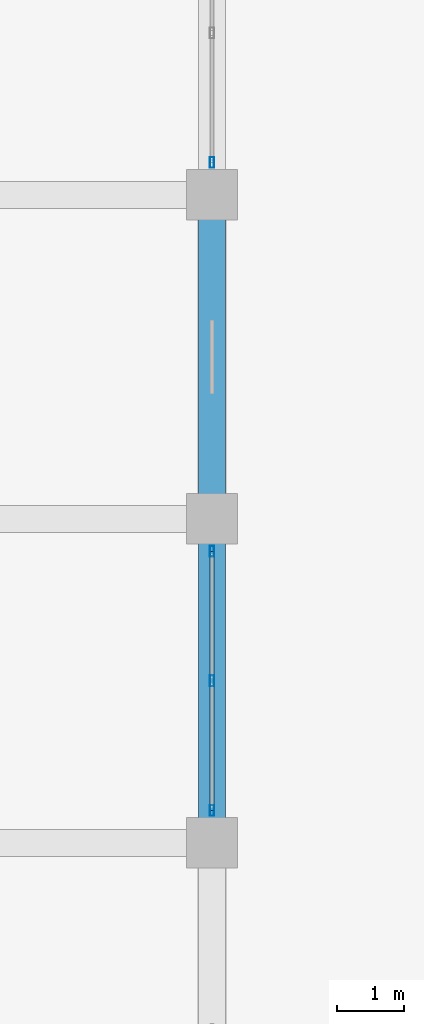
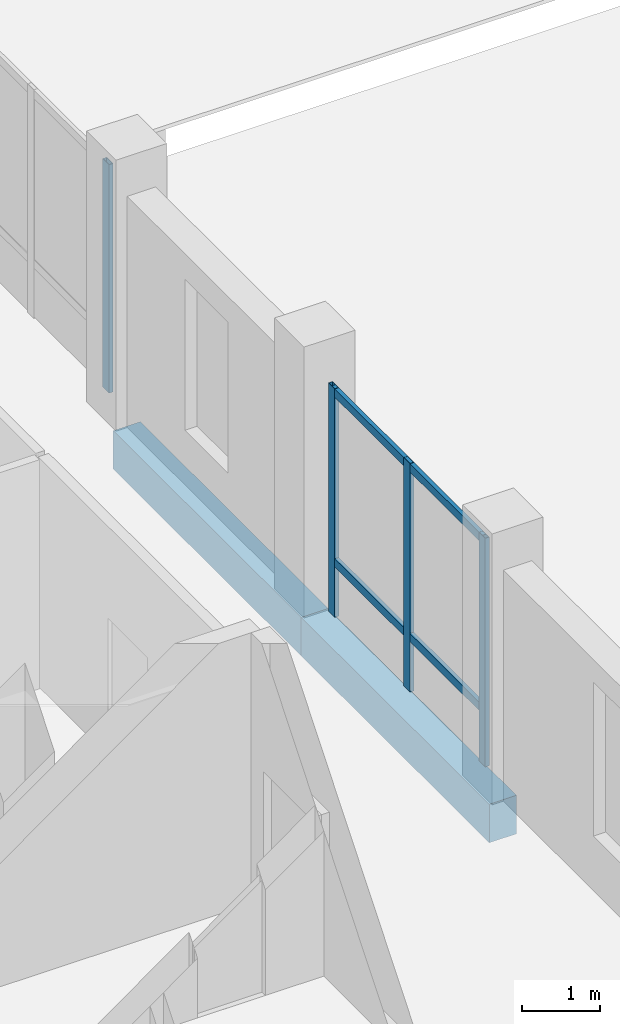
# One storey, part 26 of 98: 6 members, 2 beams, 2 elements without a shape of their own.
"""IFC4 building model written with IfcOpenShell, lengths in metres."""

from ifc_helpers import new_model, si_unit, direction, frame, origin, origin_2d, place, context, subcontext, project, spatial, rectangle, hollow_rectangle, extrude, material, material_profile, profile_set, type_object, element, aggregate, save


model = new_model("IFC4")

# Units and contexts
model_context = context("Model", 3, precision=1e-05, world=origin(), true_north=direction((0.0, 1.0)))
body_context = subcontext(model_context, "Body", "Model", "MODEL_VIEW")
ifc_project = project(units=[si_unit("LENGTHUNIT", "METRE"), si_unit("AREAUNIT", "SQUARE_METRE"), si_unit("VOLUMEUNIT", "CUBIC_METRE"), si_unit("PLANEANGLEUNIT", "RADIAN"), si_unit("MASSUNIT", "GRAM", prefix="KILO")], contexts=[model_context])

# Site, building, storey
site_placement = place(None, origin())
site = spatial("IfcSite", under=ifc_project, at=site_placement, CompositionType="ELEMENT")
building_placement = place(site_placement, origin())
building = spatial("IfcBuilding", under=site, at=building_placement, Name="Zornivar Specialist Clinic", CompositionType="ELEMENT")
storey_placement = place(building_placement, origin())
storey = spatial("IfcBuildingStorey", under=building, at=storey_placement, Name="L00", CompositionType="ELEMENT", Elevation=0.0)

# Beams
ifc_material_1 = material(Name="Concrete C30/37", Category="concrete")
ifc_material_profile_1 = material_profile(ifc_material_1, rectangle(XDim=0.39990234375, YDim=0.60009765625, at=origin_2d()), Name="RC 400x600")
ifc_profile_set_1 = profile_set([ifc_material_profile_1], Name="Concrete C30/37")
beam_type = type_object("IfcBeamType", Name="BM-RC-400x600", PredefinedType="BEAM", material=ifc_profile_set_1)
for number, where, z_axis, x_axis, name in (
    (1, (14.39990234375, 43.199951171875, -0.580078125), (0.0, 1.0, 0.0), (-1.0, 0.0, 0.0), "bm:V2:L00:y:144:6"),
    (2, (14.39990234375, 48.0, -0.580078125), (0.0, 1.0, 0.0), (-1.0, 0.0, 0.0), "bm:V2:L00:y:144:7"),
):
    element("IfcBeam", number, at=place(storey_placement, frame(where, z_axis=z_axis, x_axis=x_axis)), inside=storey, type_object=beam_type, Name=name, PredefinedType="BEAM", context=body_context, shape_type="SweptSolid", body=[
        extrude(rectangle(XDim=0.39990234375, YDim=0.60009765625, at=origin_2d()), origin(), (0.0, 0.0, 1.0), 4.800048828125),
    ])

# Curtain wall, members
ifc_material_2 = material(Name="Aluminium and Low-E Glass Curtain Wall", Category="aluminium")
curtain_wall_type = type_object("IfcCurtainWallType", Name="CW-REVAK-COURT", PredefinedType="NOTDEFINED", material=ifc_material_2)
curtain_wall_1_placement = place(storey_placement, origin())
curtain_wall_1 = element("IfcCurtainWall", 3, at=curtain_wall_1_placement, inside=storey, type_object=curtain_wall_type, Name="cw:V2:L00:18", PredefinedType="NOTDEFINED")
ifc_material_3 = material(Name="Aluminium AW-6060", Category="aluminium")
ifc_material_profile_2 = material_profile(ifc_material_3, hollow_rectangle(XDim=0.06005859375, YDim=0.159912109375, WallThickness=0.00390625, at=origin_2d()), Name="ALU 60x160x4")
ifc_profile_set_2 = profile_set([ifc_material_profile_2], Name="Aluminium AW-6060")
member_type_1 = type_object("IfcMemberType", Name="CWM-MUL-160", PredefinedType="MULLION", material=ifc_profile_set_2)
member_1_placement = place(storey_placement, frame((14.39990234375, 43.679931640625, 0.0), z_axis=(0.0, 0.0, 1.0), x_axis=(1.0, 0.0, 0.0)))
member_1 = element("IfcMember", 4, at=member_1_placement, type_object=member_type_1, Name="cw:V2:L00:18:mul:0", PredefinedType="MULLION", context=body_context, shape_type="SweptSolid", body=[
    extrude(hollow_rectangle(XDim=0.06005859375, YDim=0.159912109375, WallThickness=0.00390625, at=origin_2d()), origin(), (0.0, 0.0, 1.0), 3.56005859375),
])
member_2_placement = place(storey_placement, frame((14.39990234375, 45.60009765625, 0.0), z_axis=(0.0, 0.0, 1.0), x_axis=(1.0, 0.0, 0.0)))
member_2 = element("IfcMember", 5, at=member_2_placement, type_object=member_type_1, Name="cw:V2:L00:18:mul:1", PredefinedType="MULLION", context=body_context, shape_type="SweptSolid", body=[
    extrude(hollow_rectangle(XDim=0.06005859375, YDim=0.159912109375, WallThickness=0.00390625, at=origin_2d()), origin(), (0.0, 0.0, 1.0), 3.56005859375),
])
member_3_placement = place(storey_placement, frame((14.39990234375, 47.52001953125, 0.0), z_axis=(0.0, 0.0, 1.0), x_axis=(1.0, 0.0, 0.0)))
member_3 = element("IfcMember", 6, at=member_3_placement, type_object=member_type_1, Name="cw:V2:L00:18:mul:2", PredefinedType="MULLION", context=body_context, shape_type="SweptSolid", body=[
    extrude(hollow_rectangle(XDim=0.06005859375, YDim=0.159912109375, WallThickness=0.00390625, at=origin_2d()), origin(), (0.0, 0.0, 1.0), 3.56005859375),
])

# Curtain wall, member
curtain_wall_2_placement = place(storey_placement, origin())
curtain_wall_2 = element("IfcCurtainWall", 7, at=curtain_wall_2_placement, inside=storey, type_object=curtain_wall_type, Name="cw:V2:L00:20", PredefinedType="NOTDEFINED")
member_4_placement = place(storey_placement, frame((14.39990234375, 53.280029296875, 0.0), z_axis=(0.0, 0.0, 1.0), x_axis=(1.0, 0.0, 0.0)))
member_4 = element("IfcMember", 8, at=member_4_placement, type_object=member_type_1, Name="cw:V2:L00:20:mul:0", PredefinedType="MULLION", context=body_context, shape_type="SweptSolid", body=[
    extrude(hollow_rectangle(XDim=0.06005859375, YDim=0.159912109375, WallThickness=0.00390625, at=origin_2d()), origin(), (0.0, 0.0, 1.0), 3.56005859375),
])
aggregate(curtain_wall_2, [member_4])

# Member
ifc_material_4 = material(Name="Aluminium AW-6060", Category="aluminium")
ifc_material_profile_3 = material_profile(ifc_material_4, hollow_rectangle(XDim=0.06005859375, YDim=0.1298828125, WallThickness=0.00390625, at=origin_2d()), Name="ALU 60x130x4")
ifc_profile_set_3 = profile_set([ifc_material_profile_3], Name="Aluminium AW-6060")
member_type_2 = type_object("IfcMemberType", Name="CWM-TRN-130", PredefinedType="USERDEFINED", material=ifc_profile_set_3)
member_5_placement = place(storey_placement, frame((14.39990234375, 43.679931640625, 0.85009765625), z_axis=(0.0, 1.0, 0.0), x_axis=(-1.0, 0.0, 0.0)))
member_5 = element("IfcMember", 9, at=member_5_placement, type_object=member_type_2, Name="cw:V2:L00:18:trn:0", ObjectType="TRANSOM", PredefinedType="USERDEFINED", context=body_context, shape_type="SweptSolid", body=[
    extrude(hollow_rectangle(XDim=0.06005859375, YDim=0.1298828125, WallThickness=0.00390625, at=origin_2d()), origin(), (0.0, 0.0, 1.0), 3.840087890625),
])

member_6_placement = place(storey_placement, frame((14.39990234375, 43.679931640625, 3.4951171875), z_axis=(0.0, 1.0, 0.0), x_axis=(-1.0, 0.0, 0.0)))
member_6 = element("IfcMember", 10, at=member_6_placement, type_object=member_type_2, Name="cw:V2:L00:18:trn:1", ObjectType="TRANSOM", PredefinedType="USERDEFINED", context=body_context, shape_type="SweptSolid", body=[
    extrude(hollow_rectangle(XDim=0.06005859375, YDim=0.1298828125, WallThickness=0.00390625, at=origin_2d()), origin(), (0.0, 0.0, 1.0), 3.840087890625),
])

aggregate(curtain_wall_1, [member_1, member_2, member_3, member_5, member_6])

save(model, "model.ifc")
